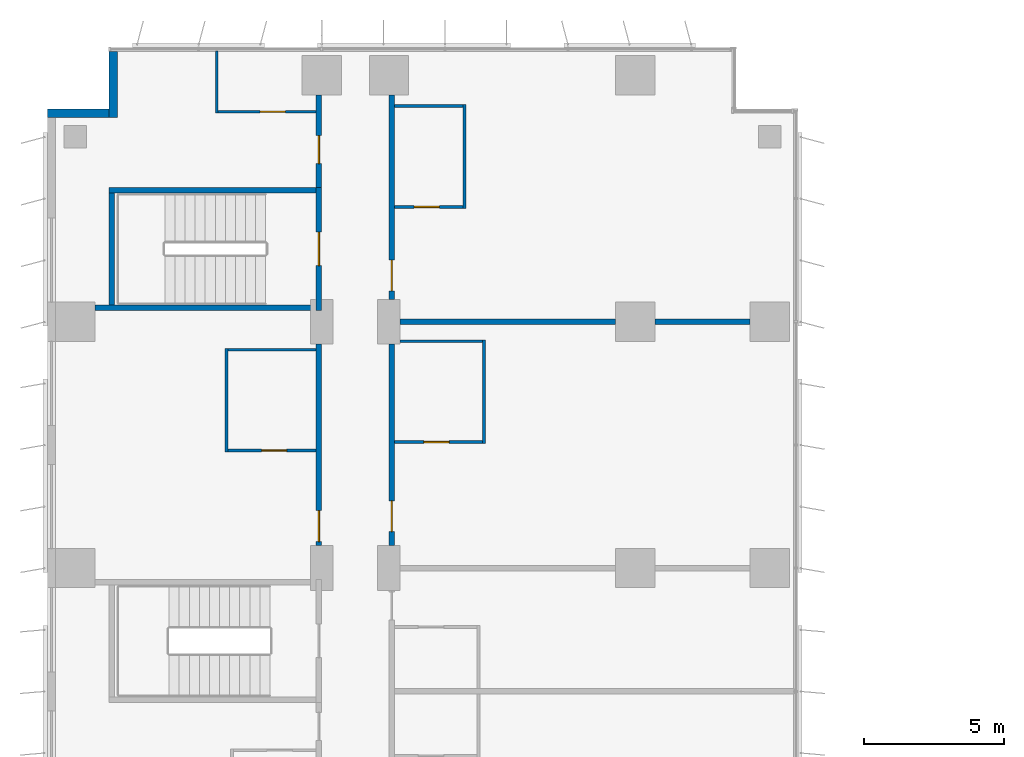
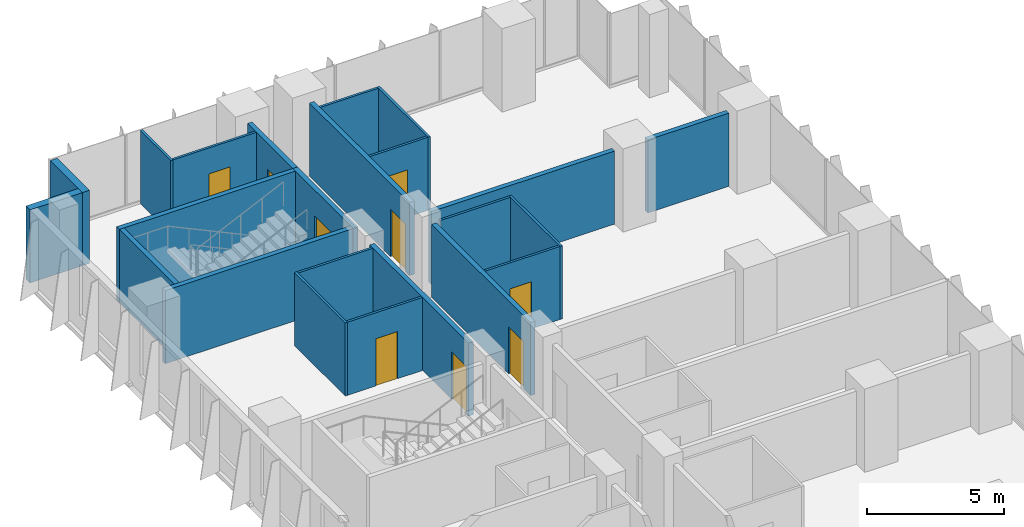
# One storey, part 18 of 23: 23 walls, 9 doors, 9 openings.
"""IFC4 building model written with IfcOpenShell, lengths in metres."""

from ifc_helpers import new_model, si_unit, direction, frame, frame_2d, origin, place, context, subcontext, project, spatial, rectangle, extrude, material, layer, layer_set, type_object, element, fill, save


model = new_model("IFC4")

# Units and contexts
model_context = context("Model", 3, precision=1e-05, world=origin(), true_north=direction((0.0, 1.0)))
body_context = subcontext(model_context, "Body", "Model", "MODEL_VIEW")
ifc_project = project(units=[si_unit("LENGTHUNIT", "METRE"), si_unit("AREAUNIT", "SQUARE_METRE"), si_unit("VOLUMEUNIT", "CUBIC_METRE"), si_unit("PLANEANGLEUNIT", "RADIAN"), si_unit("MASSUNIT", "GRAM", prefix="KILO")], contexts=[model_context])

# Site, building, storey
site_placement = place(None, origin())
site = spatial("IfcSite", under=ifc_project, at=site_placement, CompositionType="ELEMENT")
building_placement = place(site_placement, origin())
building = spatial("IfcBuilding", under=site, at=building_placement, Name="Kemantara Hotel Tower", CompositionType="ELEMENT")
storey_placement = place(building_placement, frame((0.0, 0.0, 67.300048828125)))
storey = spatial("IfcBuildingStorey", under=building, at=storey_placement, Name="L15", CompositionType="ELEMENT", Elevation=67.300048828125)

# Walls
ifc_material_1 = material(Name="Bronze anodised aluminium cladding on insulated steel stud wall", Category="steel")
ifc_layer_1 = layer(ifc_material_1, 0.300048828125)
ifc_layer_set_1 = layer_set([ifc_layer_1], Name="Bronze anodised aluminium cladding on insulated steel stud wall")
wall_type_1 = type_object("IfcWallType", Name="BRONZE METAL-CLAD EXTERNAL WALL 300", PredefinedType="STANDARD", material=ifc_layer_set_1)
wall_1_placement = place(storey_placement, frame((2.35009765625, 81.050048828125, 0.0), z_axis=(0.0, 0.0, 1.0), x_axis=(0.0, -1.0, 0.0)))
element("IfcWall", 1, at=wall_1_placement, inside=storey, type_object=wall_type_1, Name="EXTERNAL WALL L15 T1-R12", PredefinedType="STANDARD", context=body_context, shape_type="SweptSolid", body=[
    extrude(rectangle(XDim=2.35009765625, YDim=0.300048828125, at=frame_2d((1.175048828125, 0.0))), origin(), (0.0, 0.0, 1.0), 3.25),
])
wall_2_placement = place(storey_placement, frame((2.199951171875, 78.85009765625, 0.0), z_axis=(0.0, 0.0, 1.0), x_axis=(-1.0, 0.0, 0.0)))
element("IfcWall", 2, at=wall_2_placement, inside=storey, type_object=wall_type_1, Name="EXTERNAL WALL L15 T1-R13", PredefinedType="STANDARD", context=body_context, shape_type="SweptSolid", body=[
    extrude(rectangle(XDim=2.199951171875, YDim=0.300048828125, at=frame_2d((1.10009765625, 0.0))), origin(), (0.0, 0.0, 1.0), 3.25),
])

# Wall, opening, door
ifc_material_2 = material(Name="Gypsum board partition, steel studs and mineral wool, 200 mm", Category="steel")
ifc_layer_2 = layer(ifc_material_2, 0.199951171875)
ifc_layer_set_2 = layer_set([ifc_layer_2], Name="Gypsum board partition, steel studs and mineral wool, 200 mm")
wall_type_2 = type_object("IfcWallType", Name="CORRIDOR WALL 200", PredefinedType="PARTITIONING", material=ifc_layer_set_2)
wall_3_placement = place(storey_placement, frame((9.699951171875, 63.400146484375, 0.0), z_axis=(0.0, 0.0, 1.0), x_axis=(0.0, 1.0, 0.0)))
wall_3 = element("IfcWall", 3, at=wall_3_placement, inside=storey, type_object=wall_type_2, Name="CORRIDOR WALL 200 033", PredefinedType="PARTITIONING", context=body_context, shape_type="SweptSolid", body=[
    extrude(rectangle(XDim=7.19970703125, YDim=0.199951171875, at=frame_2d((3.599853515625, 0.0))), origin(), (0.0, 0.0, 1.0), 3.25),
])
opening_1_placement = place(wall_3_placement, frame((0.14990234375, 0.0, 0.0)))
opening_1 = element("IfcOpeningElement", 4, at=opening_1_placement, cuts=wall_3, Name="Opening F05-045", PredefinedType="OPENING", context=body_context, shape_type="SweptSolid", body=[
    extrude(rectangle(XDim=1.10009765625, YDim=2.10009765625, at=frame_2d((0.550048828125, 1.050048828125))), frame((0.0, 0.10986328125, 0.0), z_axis=(0.0, -1.0, 0.0), x_axis=(1.0, 0.0, 0.0)), (0.0, 0.0, 1.0), 0.219970703125),
])
ifc_material_3 = material(Name="Hardwood veneer door leaf with steel frame", Category="steel")
door_type_1 = type_object("IfcDoorType", Name="SUITE ENTRANCE DOOR 1100 X 2100 FD30S", OperationType="NOTDEFINED", PredefinedType="DOOR", material=ifc_material_3)
door_1_placement = place(opening_1_placement, origin())
door_1 = element("IfcDoor", 5, at=door_1_placement, inside=storey, type_object=door_type_1, Name="SUITE ENTRANCE DOOR F05-045", OperationType="SINGLE_SWING_LEFT", OverallHeight=2.10009765625, OverallWidth=1.10009765625, PredefinedType="DOOR", context=body_context, shape_type="SweptSolid", body=[
    extrude(rectangle(XDim=1.10009765625, YDim=2.10009765625, at=frame_2d((0.550048828125, 1.050048828125))), frame((0.0, 0.02490234375, 0.0), z_axis=(0.0, -1.0, 0.0), x_axis=(1.0, 0.0, 0.0)), (0.0, 0.0, 1.0), 0.050048828125),
])
fill(opening_1, door_1)

wall_4_placement = place(storey_placement, frame((9.699951171875, 76.199951171875, 0.0), z_axis=(0.0, 0.0, 1.0), x_axis=(0.0, 1.0, 0.0)))
wall_4 = element("IfcWall", 6, at=wall_4_placement, inside=storey, type_object=wall_type_2, Name="CORRIDOR WALL 200 034", PredefinedType="PARTITIONING", context=body_context, shape_type="SweptSolid", body=[
    extrude(rectangle(XDim=3.300048828125, YDim=0.199951171875, at=frame_2d((1.64990234375, 0.0))), origin(), (0.0, 0.0, 1.0), 3.25),
])
opening_2_placement = place(wall_4_placement, frame((0.85009765625, 0.0, 0.0)))
opening_2 = element("IfcOpeningElement", 7, at=opening_2_placement, cuts=wall_4, Name="Opening F05-047", PredefinedType="OPENING", context=body_context, shape_type="SweptSolid", body=[
    extrude(rectangle(XDim=1.0, YDim=2.10009765625, at=frame_2d((0.5, 1.050048828125))), frame((0.0, 0.10986328125, 0.0), z_axis=(0.0, -1.0, 0.0), x_axis=(1.0, 0.0, 0.0)), (0.0, 0.0, 1.0), 0.219970703125),
])
door_type_2 = type_object("IfcDoorType", Name="GUEST ROOM DOOR 1000 X 2100 FD30S", OperationType="NOTDEFINED", PredefinedType="DOOR", material=ifc_material_3)
door_2_placement = place(opening_2_placement, origin())
door_2 = element("IfcDoor", 8, at=door_2_placement, inside=storey, type_object=door_type_2, Name="GUEST ROOM DOOR F05-047", OperationType="SINGLE_SWING_LEFT", OverallHeight=2.10009765625, OverallWidth=1.0, PredefinedType="DOOR", context=body_context, shape_type="SweptSolid", body=[
    extrude(rectangle(XDim=1.0, YDim=2.10009765625, at=frame_2d((0.5, 1.050048828125))), frame((0.0, 0.02490234375, 0.0), z_axis=(0.0, -1.0, 0.0), x_axis=(1.0, 0.0, 0.0)), (0.0, 0.0, 1.0), 0.050048828125),
])
fill(opening_2, door_2)

wall_5_placement = place(storey_placement, frame((12.300048828125, 70.599853515625, 0.0), z_axis=(0.0, 0.0, 1.0), x_axis=(0.0, -1.0, 0.0)))
wall_5 = element("IfcWall", 9, at=wall_5_placement, inside=storey, type_object=wall_type_2, Name="CORRIDOR WALL 200 053", PredefinedType="PARTITIONING", context=body_context, shape_type="SweptSolid", body=[
    extrude(rectangle(XDim=7.19970703125, YDim=0.199951171875, at=frame_2d((3.599853515625, 0.0))), origin(), (0.0, 0.0, 1.0), 3.25),
])
opening_3_placement = place(wall_5_placement, frame((5.599853515625, 0.0, 0.0)))
opening_3 = element("IfcOpeningElement", 10, at=opening_3_placement, cuts=wall_5, Name="Opening F05-063", PredefinedType="OPENING", context=body_context, shape_type="SweptSolid", body=[
    extrude(rectangle(XDim=1.10009765625, YDim=2.10009765625, at=frame_2d((0.550048828125, 1.050048828125))), frame((0.0, 0.10986328125, 0.0), z_axis=(0.0, -1.0, 0.0), x_axis=(1.0, 0.0, 0.0)), (0.0, 0.0, 1.0), 0.219970703125),
])
door_3_placement = place(opening_3_placement, origin())
door_3 = element("IfcDoor", 11, at=door_3_placement, inside=storey, type_object=door_type_1, Name="SUITE ENTRANCE DOOR F05-063", OperationType="SINGLE_SWING_RIGHT", OverallHeight=2.10009765625, OverallWidth=1.10009765625, PredefinedType="DOOR", context=body_context, shape_type="SweptSolid", body=[
    extrude(rectangle(XDim=1.10009765625, YDim=2.10009765625, at=frame_2d((0.550048828125, 1.050048828125))), frame((0.0, 0.02490234375, 0.0), z_axis=(0.0, -1.0, 0.0), x_axis=(1.0, 0.0, 0.0)), (0.0, 0.0, 1.0), 0.050048828125),
])
fill(opening_3, door_3)

wall_6_placement = place(storey_placement, frame((12.300048828125, 79.5, 0.0), z_axis=(0.0, 0.0, 1.0), x_axis=(0.0, -1.0, 0.0)))
wall_6 = element("IfcWall", 12, at=wall_6_placement, inside=storey, type_object=wall_type_2, Name="CORRIDOR WALL 200 054", PredefinedType="PARTITIONING", context=body_context, shape_type="SweptSolid", body=[
    extrude(rectangle(XDim=7.2998046875, YDim=0.199951171875, at=frame_2d((3.64990234375, 0.0))), origin(), (0.0, 0.0, 1.0), 3.25),
])
opening_4_placement = place(wall_6_placement, frame((5.89990234375, 0.0, 0.0)))
opening_4 = element("IfcOpeningElement", 13, at=opening_4_placement, cuts=wall_6, Name="Opening F05-065", PredefinedType="OPENING", context=body_context, shape_type="SweptSolid", body=[
    extrude(rectangle(XDim=1.10009765625, YDim=2.10009765625, at=frame_2d((0.550048828125, 1.050048828125))), frame((0.0, 0.10986328125, 0.0), z_axis=(0.0, -1.0, 0.0), x_axis=(1.0, 0.0, 0.0)), (0.0, 0.0, 1.0), 0.219970703125),
])
door_4_placement = place(opening_4_placement, origin())
door_4 = element("IfcDoor", 14, at=door_4_placement, inside=storey, type_object=door_type_1, Name="SUITE ENTRANCE DOOR F05-065", OperationType="SINGLE_SWING_RIGHT", OverallHeight=2.10009765625, OverallWidth=1.10009765625, PredefinedType="DOOR", context=body_context, shape_type="SweptSolid", body=[
    extrude(rectangle(XDim=1.10009765625, YDim=2.10009765625, at=frame_2d((0.550048828125, 1.050048828125))), frame((0.0, 0.02490234375, 0.0), z_axis=(0.0, -1.0, 0.0), x_axis=(1.0, 0.0, 0.0)), (0.0, 0.0, 1.0), 0.050048828125),
])
fill(opening_4, door_4)

ifc_material_4 = material(Name="Concrete fc 40 MPa", Category="concrete")
ifc_layer_3 = layer(ifc_material_4, 0.199951171875)
ifc_layer_set_3 = layer_set([ifc_layer_3], Name="Concrete fc 40 MPa")
wall_type_3 = type_object("IfcWallType", Name="Concrete stair wall 200 mm", PredefinedType="SHEAR", material=ifc_layer_set_3)
wall_7_placement = place(storey_placement, frame((9.699951171875, 71.800048828125, 0.0), z_axis=(0.0, 0.0, 1.0), x_axis=(0.0, 1.0, 0.0)))
wall_7 = element("IfcWall", 15, at=wall_7_placement, inside=storey, type_object=wall_type_3, Name="Stair ST6 enclosure wall with door", PredefinedType="SHEAR", context=body_context, shape_type="SweptSolid", body=[
    extrude(rectangle(XDim=4.39990234375, YDim=0.199951171875, at=frame_2d((2.199951171875, 0.0))), origin(), (0.0, 0.0, 1.0), 3.25),
])
opening_5_placement = place(wall_7_placement, frame((1.60009765625, 0.0, 0.0)))
opening_5 = element("IfcOpeningElement", 16, at=opening_5_placement, cuts=wall_7, Name="Opening ST6-C", PredefinedType="OPENING", context=body_context, shape_type="SweptSolid", body=[
    extrude(rectangle(XDim=1.199951171875, YDim=2.10009765625, at=frame_2d((0.60009765625, 1.050048828125))), frame((0.0, 0.10986328125, 0.0), z_axis=(0.0, -1.0, 0.0), x_axis=(1.0, 0.0, 0.0)), (0.0, 0.0, 1.0), 0.219970703125),
])
ifc_material_5 = material(Name="Steel fire door", Category="steel")
door_type_3 = type_object("IfcDoorType", Name="Fire door FD90 1200 x 2100", OperationType="NOTDEFINED", PredefinedType="DOOR", material=ifc_material_5)
door_5_placement = place(opening_5_placement, origin())
door_5 = element("IfcDoor", 17, at=door_5_placement, inside=storey, type_object=door_type_3, Name="Stair ST6 door", OperationType="SINGLE_SWING_RIGHT", OverallHeight=2.10009765625, OverallWidth=1.199951171875, PredefinedType="DOOR", context=body_context, shape_type="SweptSolid", body=[
    extrude(rectangle(XDim=1.199951171875, YDim=2.10009765625, at=frame_2d((0.60009765625, 1.050048828125))), frame((0.0, 0.02490234375, 0.0), z_axis=(0.0, -1.0, 0.0), x_axis=(1.0, 0.0, 0.0)), (0.0, 0.0, 1.0), 0.050048828125),
])
fill(opening_5, door_5)

# Walls
wall_8_placement = place(storey_placement, frame((2.199951171875, 76.10009765625, 0.0), z_axis=(0.0, 0.0, 1.0), x_axis=(1.0, 0.0, 0.0)))
element("IfcWall", 18, at=wall_8_placement, inside=storey, type_object=wall_type_3, Name="Stair ST6 enclosure wall N", PredefinedType="SHEAR", context=body_context, shape_type="SweptSolid", body=[
    extrude(rectangle(XDim=7.400146484375, YDim=0.199951171875, at=frame_2d((3.7001953125, 0.0))), origin(), (0.0, 0.0, 1.0), 3.25),
])
wall_9_placement = place(storey_placement, frame((1.699951171875, 71.89990234375, 0.0), z_axis=(0.0, 0.0, 1.0), x_axis=(1.0, 0.0, 0.0)))
element("IfcWall", 19, at=wall_9_placement, inside=storey, type_object=wall_type_3, Name="Stair ST6 enclosure wall S", PredefinedType="SHEAR", context=body_context, shape_type="SweptSolid", body=[
    extrude(rectangle(XDim=7.900146484375, YDim=0.199951171875, at=frame_2d((3.9501953125, 0.0))), origin(), (0.0, 0.0, 1.0), 3.25),
])
wall_10_placement = place(storey_placement, frame((2.300048828125, 72.0, 0.0), z_axis=(0.0, 0.0, 1.0), x_axis=(0.0, 1.0, 0.0)))
element("IfcWall", 20, at=wall_10_placement, inside=storey, type_object=wall_type_3, Name="Stair ST6 enclosure wall W", PredefinedType="SHEAR", context=body_context, shape_type="SweptSolid", body=[
    extrude(rectangle(XDim=4.0, YDim=0.199951171875, at=frame_2d((2.0, 0.0))), origin(), (0.0, 0.0, 1.0), 3.25),
])
ifc_layer_4 = layer(ifc_material_2, 0.199951171875)
ifc_layer_set_4 = layer_set([ifc_layer_4], Name="Gypsum board partition, steel studs and mineral wool, 200 mm")
wall_type_4 = type_object("IfcWallType", Name="GUEST ROOM PARTY WALL 200", PredefinedType="PARTITIONING", material=ifc_layer_set_4)
wall_11_placement = place(storey_placement, frame((12.60009765625, 71.39990234375, 0.0), z_axis=(0.0, 0.0, 1.0), x_axis=(1.0, 0.0, 0.0)))
element("IfcWall", 21, at=wall_11_placement, inside=storey, type_object=wall_type_4, Name="GUEST ROOM PARTY WALL 200 063", PredefinedType="PARTITIONING", context=body_context, shape_type="SweptSolid", body=[
    extrude(rectangle(XDim=7.69970703125, YDim=0.199951171875, at=frame_2d((3.849853515625, 0.0))), origin(), (0.0, 0.0, 1.0), 3.25),
])
wall_12_placement = place(storey_placement, frame((21.7001953125, 71.39990234375, 0.0), z_axis=(0.0, 0.0, 1.0), x_axis=(1.0, 0.0, 0.0)))
element("IfcWall", 22, at=wall_12_placement, inside=storey, type_object=wall_type_4, Name="GUEST ROOM PARTY WALL 200 064", PredefinedType="PARTITIONING", context=body_context, shape_type="SweptSolid", body=[
    extrude(rectangle(XDim=3.399658203125, YDim=0.199951171875, at=frame_2d((1.69970703125, 0.0))), origin(), (0.0, 0.0, 1.0), 3.25),
])
ifc_material_6 = material(Name="Gypsum board partition on steel studs, 100 mm", Category="steel")
ifc_layer_5 = layer(ifc_material_6, 0.10009765625)
ifc_layer_set_5 = layer_set([ifc_layer_5], Name="Gypsum board partition on steel studs, 100 mm")
wall_type_5 = type_object("IfcWallType", Name="ROOM PARTITION 100", PredefinedType="PARTITIONING", material=ifc_layer_set_5)
wall_13_placement = place(storey_placement, frame((6.050048828125, 78.85009765625, 0.0), z_axis=(0.0, 0.0, 1.0), x_axis=(0.0, 1.0, 0.0)))
element("IfcWall", 23, at=wall_13_placement, inside=storey, type_object=wall_type_5, Name="ROOM PARTITION 100 092", PredefinedType="PARTITIONING", context=body_context, shape_type="SweptSolid", body=[
    extrude(rectangle(XDim=2.219970703125, YDim=0.10009765625, at=frame_2d((1.10986328125, 0.0))), origin(), (0.0, 0.0, 1.0), 3.25),
])
wall_14_placement = place(storey_placement, frame((6.39990234375, 66.75, 0.0), z_axis=(0.0, 0.0, 1.0), x_axis=(0.0, 1.0, 0.0)))
element("IfcWall", 24, at=wall_14_placement, inside=storey, type_object=wall_type_5, Name="ROOM PARTITION 100 104", PredefinedType="PARTITIONING", context=body_context, shape_type="SweptSolid", body=[
    extrude(rectangle(XDim=3.699951171875, YDim=0.10009765625, at=frame_2d((1.85009765625, 0.0))), origin(), (0.0, 0.0, 1.0), 3.25),
])

# Wall, opening, door
wall_15_placement = place(storey_placement, frame((6.449951171875, 66.800048828125, 0.0), z_axis=(0.0, 0.0, 1.0), x_axis=(1.0, 0.0, 0.0)))
wall_15 = element("IfcWall", 25, at=wall_15_placement, inside=storey, type_object=wall_type_5, Name="ROOM PARTITION 100 114", PredefinedType="PARTITIONING", context=body_context, shape_type="SweptSolid", body=[
    extrude(rectangle(XDim=3.150146484375, YDim=0.10009765625, at=frame_2d((1.5751953125, 0.0))), origin(), (0.0, 0.0, 1.0), 3.25),
])
opening_6_placement = place(wall_15_placement, frame((1.199951171875, 0.0, 0.0)))
opening_6 = element("IfcOpeningElement", 26, at=opening_6_placement, cuts=wall_15, Name="Opening F05-046", PredefinedType="OPENING", context=body_context, shape_type="SweptSolid", body=[
    extrude(rectangle(XDim=0.89990234375, YDim=2.10009765625, at=frame_2d((0.449951171875, 1.050048828125))), frame((0.0, 0.06005859375, 0.0), z_axis=(0.0, -1.0, 0.0), x_axis=(1.0, 0.0, 0.0)), (0.0, 0.0, 1.0), 0.1201171875),
])
door_type_4 = type_object("IfcDoorType", Name="BATHROOM DOOR 900 X 2100", OperationType="NOTDEFINED", PredefinedType="DOOR", material=ifc_material_3)
door_6_placement = place(opening_6_placement, origin())
door_6 = element("IfcDoor", 27, at=door_6_placement, inside=storey, type_object=door_type_4, Name="BATHROOM DOOR F05-046", OperationType="SINGLE_SWING_RIGHT", OverallHeight=2.10009765625, OverallWidth=0.89990234375, PredefinedType="DOOR", context=body_context, shape_type="SweptSolid", body=[
    extrude(rectangle(XDim=0.89990234375, YDim=2.10009765625, at=frame_2d((0.449951171875, 1.050048828125))), frame((0.0, 0.02490234375, 0.0), z_axis=(0.0, -1.0, 0.0), x_axis=(1.0, 0.0, 0.0)), (0.0, 0.0, 1.0), 0.050048828125),
])
fill(opening_6, door_6)

# Wall
wall_16_placement = place(storey_placement, frame((6.449951171875, 70.39990234375, 0.0), z_axis=(0.0, 0.0, 1.0), x_axis=(1.0, 0.0, 0.0)))
element("IfcWall", 28, at=wall_16_placement, inside=storey, type_object=wall_type_5, Name="ROOM PARTITION 100 115", PredefinedType="PARTITIONING", context=body_context, shape_type="SweptSolid", body=[
    extrude(rectangle(XDim=3.150146484375, YDim=0.10009765625, at=frame_2d((1.5751953125, 0.0))), origin(), (0.0, 0.0, 1.0), 3.25),
])

# Wall, opening, door
wall_17_placement = place(storey_placement, frame((6.10009765625, 78.89990234375, 0.0), z_axis=(0.0, 0.0, 1.0), x_axis=(1.0, 0.0, 0.0)))
wall_17 = element("IfcWall", 29, at=wall_17_placement, inside=storey, type_object=wall_type_5, Name="ROOM PARTITION 100 116", PredefinedType="PARTITIONING", context=body_context, shape_type="SweptSolid", body=[
    extrude(rectangle(XDim=3.5, YDim=0.10009765625, at=frame_2d((1.75, 0.0))), origin(), (0.0, 0.0, 1.0), 3.25),
])
opening_7_placement = place(wall_17_placement, frame((1.5, 0.0, 0.0)))
opening_7 = element("IfcOpeningElement", 30, at=opening_7_placement, cuts=wall_17, Name="Opening F05-048", PredefinedType="OPENING", context=body_context, shape_type="SweptSolid", body=[
    extrude(rectangle(XDim=0.89990234375, YDim=2.10009765625, at=frame_2d((0.449951171875, 1.050048828125))), frame((0.0, 0.06005859375, 0.0), z_axis=(0.0, -1.0, 0.0), x_axis=(1.0, 0.0, 0.0)), (0.0, 0.0, 1.0), 0.1201171875),
])
door_7_placement = place(opening_7_placement, origin())
door_7 = element("IfcDoor", 31, at=door_7_placement, inside=storey, type_object=door_type_4, Name="BATHROOM DOOR F05-048", OperationType="SINGLE_SWING_RIGHT", OverallHeight=2.10009765625, OverallWidth=0.89990234375, PredefinedType="DOOR", context=body_context, shape_type="SweptSolid", body=[
    extrude(rectangle(XDim=0.89990234375, YDim=2.10009765625, at=frame_2d((0.449951171875, 1.050048828125))), frame((0.0, 0.02490234375, 0.0), z_axis=(0.0, -1.0, 0.0), x_axis=(1.0, 0.0, 0.0)), (0.0, 0.0, 1.0), 0.050048828125),
])
fill(opening_7, door_7)

# Wall
wall_18_placement = place(storey_placement, frame((15.60009765625, 67.050048828125, 0.0), z_axis=(0.0, 0.0, 1.0), x_axis=(0.0, 1.0, 0.0)))
element("IfcWall", 32, at=wall_18_placement, inside=storey, type_object=wall_type_5, Name="ROOM PARTITION 100 119", PredefinedType="PARTITIONING", context=body_context, shape_type="SweptSolid", body=[
    extrude(rectangle(XDim=3.699951171875, YDim=0.10009765625, at=frame_2d((1.85009765625, 0.0))), origin(), (0.0, 0.0, 1.0), 3.25),
])

# Wall, opening, door
wall_19_placement = place(storey_placement, frame((12.39990234375, 67.10009765625, 0.0), z_axis=(0.0, 0.0, 1.0), x_axis=(1.0, 0.0, 0.0)))
wall_19 = element("IfcWall", 33, at=wall_19_placement, inside=storey, type_object=wall_type_5, Name="ROOM PARTITION 100 130", PredefinedType="PARTITIONING", context=body_context, shape_type="SweptSolid", body=[
    extrude(rectangle(XDim=3.150146484375, YDim=0.10009765625, at=frame_2d((1.5751953125, 0.0))), origin(), (0.0, 0.0, 1.0), 3.25),
])
opening_8_placement = place(wall_19_placement, frame((1.050048828125, 0.0, 0.0)))
opening_8 = element("IfcOpeningElement", 34, at=opening_8_placement, cuts=wall_19, Name="Opening F05-064", PredefinedType="OPENING", context=body_context, shape_type="SweptSolid", body=[
    extrude(rectangle(XDim=0.89990234375, YDim=2.10009765625, at=frame_2d((0.449951171875, 1.050048828125))), frame((0.0, 0.06005859375, 0.0), z_axis=(0.0, -1.0, 0.0), x_axis=(1.0, 0.0, 0.0)), (0.0, 0.0, 1.0), 0.1201171875),
])
door_8_placement = place(opening_8_placement, origin())
door_8 = element("IfcDoor", 35, at=door_8_placement, inside=storey, type_object=door_type_4, Name="BATHROOM DOOR F05-064", OperationType="SINGLE_SWING_LEFT", OverallHeight=2.10009765625, OverallWidth=0.89990234375, PredefinedType="DOOR", context=body_context, shape_type="SweptSolid", body=[
    extrude(rectangle(XDim=0.89990234375, YDim=2.10009765625, at=frame_2d((0.449951171875, 1.050048828125))), frame((0.0, 0.02490234375, 0.0), z_axis=(0.0, -1.0, 0.0), x_axis=(1.0, 0.0, 0.0)), (0.0, 0.0, 1.0), 0.050048828125),
])
fill(opening_8, door_8)

# Walls
wall_20_placement = place(storey_placement, frame((12.60009765625, 70.699951171875, 0.0), z_axis=(0.0, 0.0, 1.0), x_axis=(1.0, 0.0, 0.0)))
element("IfcWall", 36, at=wall_20_placement, inside=storey, type_object=wall_type_5, Name="ROOM PARTITION 100 131", PredefinedType="PARTITIONING", context=body_context, shape_type="SweptSolid", body=[
    extrude(rectangle(XDim=2.949951171875, YDim=0.10009765625, at=frame_2d((1.47509765625, 0.0))), origin(), (0.0, 0.0, 1.0), 3.25),
])
wall_21_placement = place(storey_placement, frame((14.89990234375, 75.449951171875, 0.0), z_axis=(0.0, 0.0, 1.0), x_axis=(0.0, 1.0, 0.0)))
element("IfcWall", 37, at=wall_21_placement, inside=storey, type_object=wall_type_5, Name="ROOM PARTITION 100 132", PredefinedType="PARTITIONING", context=body_context, shape_type="SweptSolid", body=[
    extrude(rectangle(XDim=3.699951171875, YDim=0.10009765625, at=frame_2d((1.85009765625, 0.0))), origin(), (0.0, 0.0, 1.0), 3.25),
])

# Wall, opening, door
wall_22_placement = place(storey_placement, frame((12.39990234375, 75.5, 0.0), z_axis=(0.0, 0.0, 1.0), x_axis=(1.0, 0.0, 0.0)))
wall_22 = element("IfcWall", 38, at=wall_22_placement, inside=storey, type_object=wall_type_5, Name="ROOM PARTITION 100 133", PredefinedType="PARTITIONING", context=body_context, shape_type="SweptSolid", body=[
    extrude(rectangle(XDim=2.4501953125, YDim=0.10009765625, at=frame_2d((1.22509765625, 0.0))), origin(), (0.0, 0.0, 1.0), 3.25),
])
opening_9_placement = place(wall_22_placement, frame((0.699951171875, 0.0, 0.0)))
opening_9 = element("IfcOpeningElement", 39, at=opening_9_placement, cuts=wall_22, Name="Opening F05-066", PredefinedType="OPENING", context=body_context, shape_type="SweptSolid", body=[
    extrude(rectangle(XDim=0.89990234375, YDim=2.10009765625, at=frame_2d((0.449951171875, 1.050048828125))), frame((0.0, 0.06005859375, 0.0), z_axis=(0.0, -1.0, 0.0), x_axis=(1.0, 0.0, 0.0)), (0.0, 0.0, 1.0), 0.1201171875),
])
door_9_placement = place(opening_9_placement, origin())
door_9 = element("IfcDoor", 40, at=door_9_placement, inside=storey, type_object=door_type_4, Name="BATHROOM DOOR F05-066", OperationType="SINGLE_SWING_LEFT", OverallHeight=2.10009765625, OverallWidth=0.89990234375, PredefinedType="DOOR", context=body_context, shape_type="SweptSolid", body=[
    extrude(rectangle(XDim=0.89990234375, YDim=2.10009765625, at=frame_2d((0.449951171875, 1.050048828125))), frame((0.0, 0.02490234375, 0.0), z_axis=(0.0, -1.0, 0.0), x_axis=(1.0, 0.0, 0.0)), (0.0, 0.0, 1.0), 0.050048828125),
])
fill(opening_9, door_9)

# Wall
wall_23_placement = place(storey_placement, frame((12.39990234375, 79.10009765625, 0.0), z_axis=(0.0, 0.0, 1.0), x_axis=(1.0, 0.0, 0.0)))
element("IfcWall", 41, at=wall_23_placement, inside=storey, type_object=wall_type_5, Name="ROOM PARTITION 100 134", PredefinedType="PARTITIONING", context=body_context, shape_type="SweptSolid", body=[
    extrude(rectangle(XDim=2.4501953125, YDim=0.10009765625, at=frame_2d((1.22509765625, 0.0))), origin(), (0.0, 0.0, 1.0), 3.25),
])

save(model, "model.ifc")
